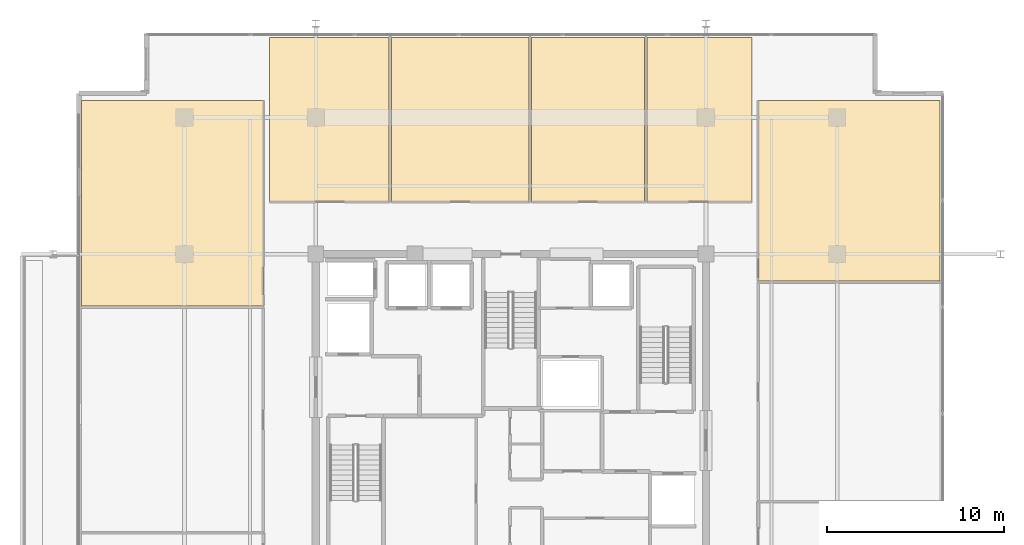
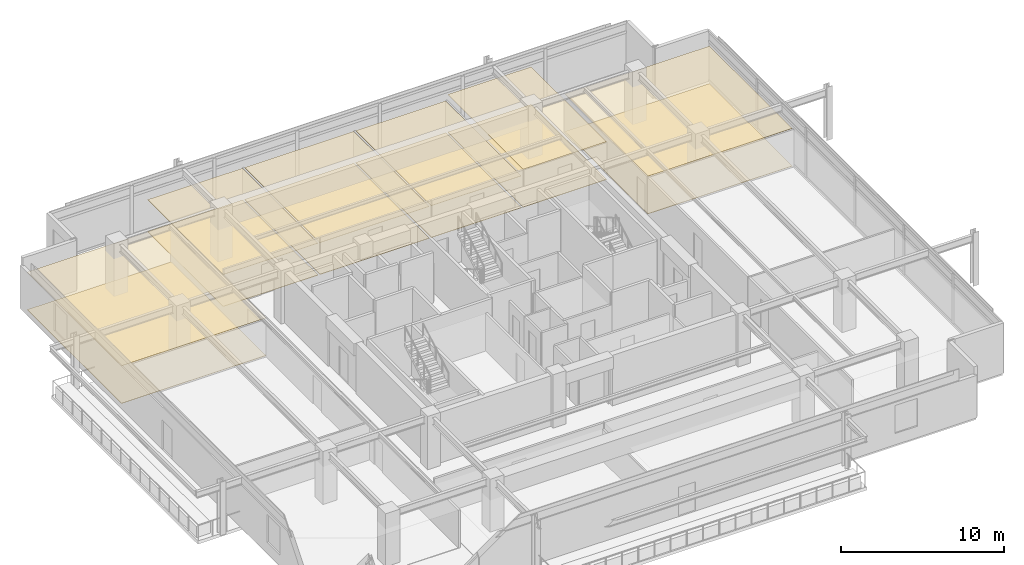
# One storey, part 21 of 21: 12 coverings.
"""IFC4 building model written with IfcOpenShell, lengths in metres."""

from ifc_helpers import new_model, si_unit, direction, frame, origin, place, context, subcontext, project, spatial, polyline, outline, extrude, material, layer, layer_set, type_object, element, save


model = new_model("IFC4")

# Units and contexts
model_context = context("Model", 3, precision=1e-05, world=origin(), true_north=direction((0.0, 1.0)))
body_context = subcontext(model_context, "Body", "Model", "MODEL_VIEW")
ifc_project = project(units=[si_unit("LENGTHUNIT", "METRE"), si_unit("AREAUNIT", "SQUARE_METRE"), si_unit("VOLUMEUNIT", "CUBIC_METRE"), si_unit("PLANEANGLEUNIT", "RADIAN"), si_unit("MASSUNIT", "GRAM", prefix="KILO")], contexts=[model_context])

# Site, building, storey
site_placement = place(None, origin())
site = spatial("IfcSite", under=ifc_project, at=site_placement, CompositionType="ELEMENT")
building_placement = place(site_placement, origin())
building = spatial("IfcBuilding", under=site, at=building_placement, Name="Kovane Verandah Tower", CompositionType="ELEMENT")
storey_placement = place(building_placement, frame((0.0, 0.0, 310.800048828125)))
storey = spatial("IfcBuildingStorey", under=building, at=storey_placement, Name="L72", CompositionType="ELEMENT", Elevation=310.800048828125)

# Coverings
ifc_material_1 = material(Name="Perforated Acoustic Mineral-Fibre Ceiling Tile", Category="gypsum")
ifc_layer_1 = layer(ifc_material_1, 0.02490234375)
ifc_layer_set_1 = layer_set([ifc_layer_1], Name="Perforated Acoustic Mineral-Fibre Ceiling Tile")
covering_type_1 = type_object("IfcCoveringType", Name="CV-CEIL-25", PredefinedType="CEILING", material=ifc_layer_set_1)
covering_1_placement = place(storey_placement, frame((0.0, 0.0, 2.389892578125)))
element("IfcCovering", 1, at=covering_1_placement, inside=storey, type_object=covering_type_1, Name="L72 Client Boardroom N1 Acoustic Ceiling", PredefinedType="CEILING", context=body_context, shape_type="SweptSolid", body=[
    extrude(outline(polyline([(26.39990234375, 39.449951171875), (33.1298828125, 39.449951171875), (33.1298828125, 48.72216796875), (26.39990234375, 48.72216796875), (26.39990234375, 39.449951171875)])), origin(), (0.0, 0.0, 1.0), 0.025146484375),
])
covering_2_placement = place(storey_placement, frame((0.0, 0.0, 2.389892578125)))
element("IfcCovering", 2, at=covering_2_placement, inside=storey, type_object=covering_type_1, Name="L72 Meeting Room N2 Acoustic Ceiling", PredefinedType="CEILING", context=body_context, shape_type="SweptSolid", body=[
    extrude(outline(polyline([(33.27001953125, 39.449951171875), (41.01806640625, 39.449951171875), (41.01806640625, 48.72216796875), (33.27001953125, 48.72216796875), (33.27001953125, 39.449951171875)])), origin(), (0.0, 0.0, 1.0), 0.025146484375),
])
covering_3_placement = place(storey_placement, frame((0.0, 0.0, 2.389892578125)))
element("IfcCovering", 3, at=covering_3_placement, inside=storey, type_object=covering_type_1, Name="L72 Focus Studio N3 Acoustic Ceiling", PredefinedType="CEILING", context=body_context, shape_type="SweptSolid", body=[
    extrude(outline(polyline([(41.157958984375, 39.449951171875), (47.5458984375, 39.449951171875), (47.5458984375, 48.72216796875), (41.157958984375, 48.72216796875), (41.157958984375, 39.449951171875)])), origin(), (0.0, 0.0, 1.0), 0.025146484375),
])
covering_4_placement = place(storey_placement, frame((0.0, 0.0, 2.824951171875)))
element("IfcCovering", 4, at=covering_4_placement, inside=storey, type_object=covering_type_1, Name="L72 Breakout Pantry N4 Acoustic Ceiling", PredefinedType="CEILING", context=body_context, shape_type="SweptSolid", body=[
    extrude(outline(polyline([(47.68603515625, 39.449951171875), (53.60009765625, 39.449951171875), (53.60009765625, 48.72216796875), (47.68603515625, 48.72216796875), (47.68603515625, 39.449951171875)])), origin(), (0.0, 0.0, 1.0), 0.02490234375),
])
covering_5_placement = place(storey_placement, frame((0.0, 0.0, 2.824951171875)))
element("IfcCovering", 5, at=covering_5_placement, inside=storey, type_object=covering_type_1, Name="L72 Client Boardroom W3 Acoustic Ceiling", PredefinedType="CEILING", context=body_context, shape_type="SweptSolid", body=[
    extrude(outline(polyline([(15.8056640625, 33.57861328125), (26.050048828125, 33.57861328125), (26.050048828125, 45.172119140625), (15.8056640625, 45.172119140625), (15.8056640625, 33.57861328125)])), origin(), (0.0, 0.0, 1.0), 0.02490234375),
])
covering_6_placement = place(storey_placement, frame((0.0, 0.0, 2.824951171875)))
element("IfcCovering", 6, at=covering_6_placement, inside=storey, type_object=covering_type_1, Name="L72 Breakout Pantry E3 Acoustic Ceiling", PredefinedType="CEILING", context=body_context, shape_type="SweptSolid", body=[
    extrude(outline(polyline([(53.949951171875, 34.9921875), (64.1943359375, 34.9921875), (64.1943359375, 45.172119140625), (53.949951171875, 45.172119140625), (53.949951171875, 34.9921875)])), origin(), (0.0, 0.0, 1.0), 0.02490234375),
])
ifc_material_2 = material(Name="Polished Terrazzo and Raised-Access Carpet Tile Finish", Category="concrete")
ifc_layer_2 = layer(ifc_material_2, 0.030029296875)
ifc_layer_set_2 = layer_set([ifc_layer_2], Name="Polished Terrazzo and Raised-Access Carpet Tile Finish")
covering_type_2 = type_object("IfcCoveringType", Name="CV-FLOR-30", PredefinedType="FLOORING", material=ifc_layer_set_2)
covering_7_placement = place(storey_placement, origin())
element("IfcCovering", 7, at=covering_7_placement, inside=storey, type_object=covering_type_2, Name="L72 Client Boardroom N1 Floor Finish", PredefinedType="FLOORING", context=body_context, shape_type="SweptSolid", body=[
    extrude(outline(polyline([(26.39990234375, 39.449951171875), (33.1298828125, 39.449951171875), (33.1298828125, 48.72216796875), (26.39990234375, 48.72216796875), (26.39990234375, 39.449951171875)])), origin(), (0.0, 0.0, 1.0), 0.030029296875),
])
covering_8_placement = place(storey_placement, origin())
element("IfcCovering", 8, at=covering_8_placement, inside=storey, type_object=covering_type_2, Name="L72 Meeting Room N2 Floor Finish", PredefinedType="FLOORING", context=body_context, shape_type="SweptSolid", body=[
    extrude(outline(polyline([(33.27001953125, 39.449951171875), (41.01806640625, 39.449951171875), (41.01806640625, 48.72216796875), (33.27001953125, 48.72216796875), (33.27001953125, 39.449951171875)])), origin(), (0.0, 0.0, 1.0), 0.030029296875),
])
covering_9_placement = place(storey_placement, origin())
element("IfcCovering", 9, at=covering_9_placement, inside=storey, type_object=covering_type_2, Name="L72 Focus Studio N3 Floor Finish", PredefinedType="FLOORING", context=body_context, shape_type="SweptSolid", body=[
    extrude(outline(polyline([(41.157958984375, 39.449951171875), (47.5458984375, 39.449951171875), (47.5458984375, 48.72216796875), (41.157958984375, 48.72216796875), (41.157958984375, 39.449951171875)])), origin(), (0.0, 0.0, 1.0), 0.030029296875),
])
covering_10_placement = place(storey_placement, origin())
element("IfcCovering", 10, at=covering_10_placement, inside=storey, type_object=covering_type_2, Name="L72 Breakout Pantry N4 Floor Finish", PredefinedType="FLOORING", context=body_context, shape_type="SweptSolid", body=[
    extrude(outline(polyline([(47.68603515625, 39.449951171875), (53.60009765625, 39.449951171875), (53.60009765625, 48.72216796875), (47.68603515625, 48.72216796875), (47.68603515625, 39.449951171875)])), origin(), (0.0, 0.0, 1.0), 0.030029296875),
])
covering_11_placement = place(storey_placement, origin())
element("IfcCovering", 11, at=covering_11_placement, inside=storey, type_object=covering_type_2, Name="L72 Client Boardroom W3 Floor Finish", PredefinedType="FLOORING", context=body_context, shape_type="SweptSolid", body=[
    extrude(outline(polyline([(15.8056640625, 33.57861328125), (26.050048828125, 33.57861328125), (26.050048828125, 45.172119140625), (15.8056640625, 45.172119140625), (15.8056640625, 33.57861328125)])), origin(), (0.0, 0.0, 1.0), 0.030029296875),
])
covering_12_placement = place(storey_placement, origin())
element("IfcCovering", 12, at=covering_12_placement, inside=storey, type_object=covering_type_2, Name="L72 Breakout Pantry E3 Floor Finish", PredefinedType="FLOORING", context=body_context, shape_type="SweptSolid", body=[
    extrude(outline(polyline([(53.949951171875, 34.9921875), (64.1943359375, 34.9921875), (64.1943359375, 45.172119140625), (53.949951171875, 45.172119140625), (53.949951171875, 34.9921875)])), origin(), (0.0, 0.0, 1.0), 0.030029296875),
])

save(model, "model.ifc")
